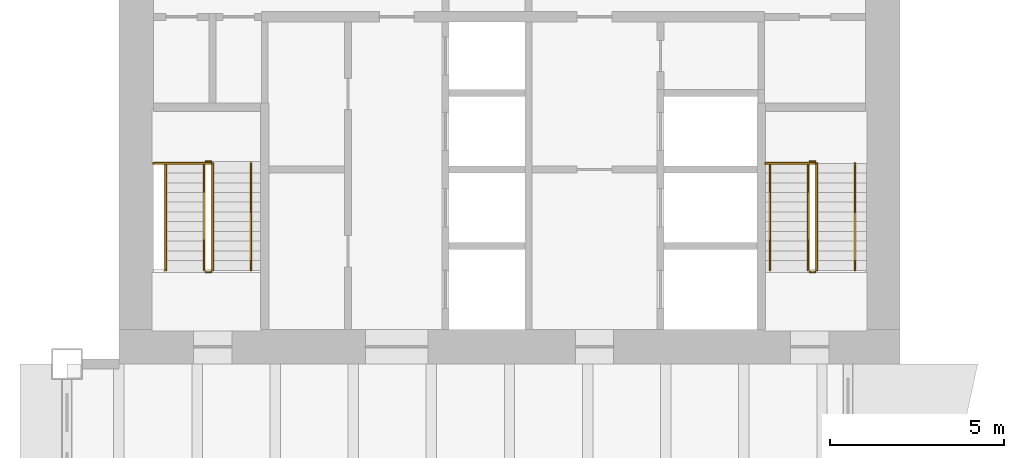
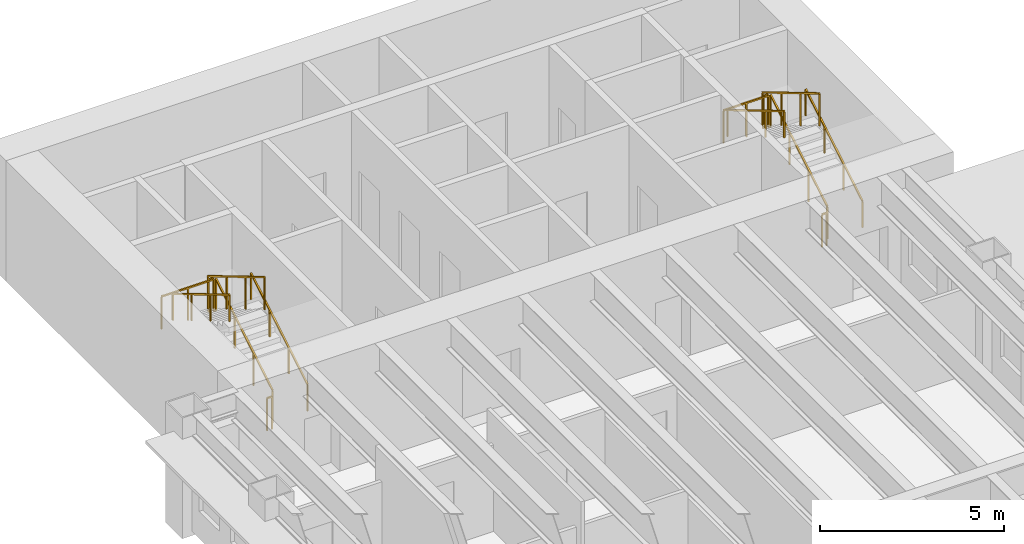
# One storey, part 17 of 17: 14 railings.
"""IFC4 building model written with IfcOpenShell, lengths in metres."""

import ifcopenshell
import ifcopenshell.guid

model = None  # the IFC model being written
_history = None  # IfcOwnerHistory: only IFC2X3 demands one
_inside = {}  # id of a spatial element -> (the spatial element, [elements in it])
_under = {}  # id of a project, library or spatial element -> (it, [spatial elements below it])
_declared = {}  # id of a project -> (the project, [libraries it declares])
_typed = {}  # id of a type object -> (the type object, [elements of that type])
_made_of = {}  # id of a material, layer set ... -> (it, [elements and type objects made of it])


def new_model(schema):
    """Start an empty IFC model of exactly this schema.

    Asked for "IFC4X3", IfcOpenShell would pick the latest addendum, in which some entities
    have other attributes; the version numbers below select the first issue.
    IFC2X3 requires an IfcOwnerHistory on every rooted entity: one is made here for all.
    """
    global model, _history
    if schema == "IFC4X3":
        model = ifcopenshell.file(schema_version=(4, 3, 0, 0))
    else:
        model = ifcopenshell.file(schema=schema)
    _inside.clear()
    _under.clear()
    _declared.clear()
    _typed.clear()
    _made_of.clear()
    _history = None
    if model.schema == "IFC2X3":
        org = make("IfcOrganization", Name="unknown")
        user = make(
            "IfcPersonAndOrganization",
            ThePerson=make("IfcPerson", FamilyName="unknown"),
            TheOrganization=org,
        )
        app = make(
            "IfcApplication",
            ApplicationDeveloper=org,
            Version="unknown",
            ApplicationFullName="unknown",
            ApplicationIdentifier="unknown",
        )
        _history = make(
            "IfcOwnerHistory",
            OwningUser=user,
            OwningApplication=app,
            ChangeAction="ADDED",
            CreationDate=0,
        )
    return model


def make(cls, **values):
    """One entity of the class cls with the attributes given. An attribute that is None is left unset."""
    return model.create_entity(
        cls, **{name: value for name, value in values.items() if value is not None}
    )


def rooted(cls, **values):
    """An entity with a GlobalId (a new one), such as an element, a storey or a relation."""
    return make(cls, GlobalId=ifcopenshell.guid.new(), OwnerHistory=_history, **values)


def si_unit(unit_type, name, prefix=None):
    """IfcSIUnit, for example si_unit("LENGTHUNIT", "METRE", prefix="MILLI")."""
    return make("IfcSIUnit", UnitType=unit_type, Prefix=prefix, Name=name)


def assignment(units):
    """IfcUnitAssignment: the units of a project."""
    return None if units is None else make("IfcUnitAssignment", Units=units)


def point(xyz):
    """IfcCartesianPoint."""
    return None if xyz is None else make("IfcCartesianPoint", Coordinates=xyz)


def direction(xyz):
    """IfcDirection."""
    return None if xyz is None else make("IfcDirection", DirectionRatios=xyz)


def frame(location, z_axis=None, x_axis=None):
    """IfcAxis2Placement3D, a coordinate frame: its origin and axes. An axis left out is left unset."""
    return make(
        "IfcAxis2Placement3D",
        Location=point(location),
        Axis=direction(z_axis),
        RefDirection=direction(x_axis),
    )


def frame_2d(location, x_axis=None):
    """IfcAxis2Placement2D, a coordinate frame in the plane: its origin and x axis."""
    return make(
        "IfcAxis2Placement2D", Location=point(location), RefDirection=direction(x_axis)
    )


def origin():
    """The frame at (0, 0, 0) with its axes left unset."""
    return frame((0.0, 0.0, 0.0))


def origin_2d():
    """The frame at (0, 0) in the plane with its x axis left unset."""
    return frame_2d((0.0, 0.0))


def place(relative_to, where):
    """IfcLocalPlacement: puts the frame where relative to a parent placement (None: the world)."""
    return make(
        "IfcLocalPlacement", PlacementRelTo=relative_to, RelativePlacement=where
    )


def context(
    kind, dimensions, precision=None, world=None, true_north=None, identifier=None
):
    """IfcGeometricRepresentationContext, for example the 3D "Model" context."""
    return make(
        "IfcGeometricRepresentationContext",
        ContextIdentifier=identifier,
        ContextType=kind,
        CoordinateSpaceDimension=dimensions,
        Precision=precision,
        WorldCoordinateSystem=world,
        TrueNorth=true_north,
    )


def subcontext(parent, identifier, kind, view, scale=None):
    """IfcGeometricRepresentationSubContext, for example "Body" below "Model"."""
    return make(
        "IfcGeometricRepresentationSubContext",
        ContextIdentifier=identifier,
        ContextType=kind,
        ParentContext=parent,
        TargetScale=scale,
        TargetView=view,
    )


def project(units=None, contexts=None):
    """IfcProject with its units and contexts."""
    return rooted(
        "IfcProject",
        Name="project",
        RepresentationContexts=contexts,
        UnitsInContext=assignment(units),
    )


def spatial(cls, under=None, at=None, **own):
    """A site, building, storey or space (cls), placed at a placement, below another one or the project."""
    s = rooted(cls, ObjectPlacement=at, **own)
    if under is not None:
        _under.setdefault(under.id(), (under, []))[1].append(s)
    return s


def profile(cls, at=None, kind="AREA", **sizes):
    """A parametric profile (cls). Its sizes go by their IFC names, for example OverallWidth=200.0."""
    return make(cls, ProfileType=kind, Position=at, **sizes)


def rectangle(**sizes):
    """IfcRectangleProfileDef."""
    return profile("IfcRectangleProfileDef", **sizes)


def extrude(swept, where, along, depth):
    """IfcExtrudedAreaSolid: the profile swept, set in the frame where, extruded along a direction by depth."""
    return make(
        "IfcExtrudedAreaSolid",
        SweptArea=swept,
        Position=where,
        ExtrudedDirection=direction(along),
        Depth=depth,
    )


def shape(context_of_items, identifier, shape_type, items):
    """IfcShapeRepresentation: the items that make up one representation, for example the "Body"."""
    return make(
        "IfcShapeRepresentation",
        ContextOfItems=context_of_items,
        RepresentationIdentifier=identifier,
        RepresentationType=shape_type,
        Items=items,
    )


def material(Name=None, Category=None):
    """IfcMaterial."""
    return make("IfcMaterial", Name=Name, Category=Category)


def made_of(thing, what):
    """Note that an element or type object is made of a material, layer set ...; save() writes the relation."""
    if what is not None:
        _made_of.setdefault(what.id(), (what, []))[1].append(thing)
    return thing


def type_object(cls, material=None, **own):
    """A type object (cls), such as IfcWallType, which elements share."""
    return made_of(rooted(cls, **own), material)


def element(
    cls,
    number,
    at=None,
    inside=None,
    cuts=None,
    type_object=None,
    material=None,
    context=None,
    identifier="Body",
    shape_type=None,
    held_by="IfcProductDefinitionShape",
    body=None,
    shapes=None,
    **own,
):
    """One element of the class cls, such as IfcWall. Its Tag is "e" and its number.

    at: its placement. inside: the storey or other place that contains it. cuts: it is an
    opening in that element (IfcRelVoidsElement). A single representation is given by context,
    identifier, shape_type and body (its items); several are given by shapes. held_by: the class
    of the entity that holds the representations. save() writes the other relations.
    """
    e = rooted(cls, Tag="e%d" % number, ObjectPlacement=at, **own)
    if body is not None:
        shapes = [shape(context, identifier, shape_type, body)]
    if shapes is not None:
        e.Representation = make(held_by, Representations=shapes)
    if inside is not None:
        _inside.setdefault(inside.id(), (inside, []))[1].append(e)
    if cuts is not None:
        rooted(
            "IfcRelVoidsElement", RelatingBuildingElement=cuts, RelatedOpeningElement=e
        )
    if type_object is not None:
        _typed.setdefault(type_object.id(), (type_object, []))[1].append(e)
    return made_of(e, material)


def aggregate(whole, parts):
    """IfcRelAggregates: a whole, such as a stair, and the parts it consists of."""
    return rooted("IfcRelAggregates", RelatingObject=whole, RelatedObjects=parts)


def save(model, path):
    """Write the relations noted so far, then the file.

    IfcRelAggregates (storeys below a building ...), IfcRelContainedInSpatialStructure (elements
    in a storey), IfcRelDefinesByType, IfcRelAssociatesMaterial and IfcRelDeclares: one each for
    every whole, place, type object, material and project.
    """
    for whole, parts in _under.values():
        aggregate(whole, parts)
    for where, things in _inside.values():
        rooted(
            "IfcRelContainedInSpatialStructure",
            RelatedElements=things,
            RelatingStructure=where,
        )
    for kind, things in _typed.values():
        rooted("IfcRelDefinesByType", RelatedObjects=things, RelatingType=kind)
    for what, things in _made_of.values():
        rooted("IfcRelAssociatesMaterial", RelatedObjects=things, RelatingMaterial=what)
    for by, libraries in _declared.values():
        rooted("IfcRelDeclares", RelatingContext=by, RelatedDefinitions=libraries)
    model.write(path)


model = new_model("IFC4")

# Units and contexts
model_context = context("Model", 3, precision=1e-05, world=origin(), true_north=direction((0.0, 1.0)))
body_context = subcontext(model_context, "Body", "Model", "MODEL_VIEW")
ifc_project = project(units=[si_unit("LENGTHUNIT", "METRE"), si_unit("AREAUNIT", "SQUARE_METRE"), si_unit("VOLUMEUNIT", "CUBIC_METRE"), si_unit("PLANEANGLEUNIT", "RADIAN"), si_unit("MASSUNIT", "GRAM", prefix="KILO")], contexts=[model_context])

# Site, building, storey
site_placement = place(None, origin())
site = spatial("IfcSite", under=ifc_project, at=site_placement, CompositionType="ELEMENT")
building_placement = place(site_placement, origin())
building = spatial("IfcBuilding", under=site, at=building_placement, Name="Sennacour Bend Tower", CompositionType="ELEMENT")
storey_placement = place(building_placement, frame((0.0, 0.0, 155.0)))
storey = spatial("IfcBuildingStorey", under=building, at=storey_placement, Name="L35", CompositionType="ELEMENT", Elevation=155.0)

# Railings
ifc_material = material(Name="Stainless steel", Category="steel")
railing_type_1 = type_object("IfcRailingType", Name="RL-GUARD-1100", PredefinedType="GUARDRAIL", material=ifc_material)
railing_1_placement = place(storey_placement, frame((2.699951171875, 38.699951171875, 0.166748046875)))
element("IfcRailing", 1, at=railing_1_placement, inside=storey, type_object=railing_type_1, Name="L35 SB1 stair guard 1", PredefinedType="GUARDRAIL", context=body_context, shape_type="SweptSolid", body=[
    extrude(rectangle(XDim=0.048095703125, YDim=0.048095703125, at=origin_2d()), frame((0.0, 0.0, 1.076171875), z_axis=(0.0, 0.859308565015, 0.511457515432), x_axis=(-1.0, 0.0, 0.0)), (0.0, 0.0, 1.0), 3.58447265625),
    extrude(rectangle(XDim=0.0419921875, YDim=0.0419921875, at=origin_2d()), origin(), (0.0, 0.0, 1.0), 1.052001953125),
    extrude(rectangle(XDim=0.0419921875, YDim=0.0419921875, at=origin_2d()), frame((0.0, 1.026611328125, 0.611083984375)), (0.0, 0.0, 1.0), 1.052001953125),
    extrude(rectangle(XDim=0.0419921875, YDim=0.0419921875, at=origin_2d()), frame((0.0, 2.053466796875, 1.22216796875)), (0.0, 0.0, 1.0), 1.052001953125),
    extrude(rectangle(XDim=0.0419921875, YDim=0.0419921875, at=origin_2d()), frame((0.0, 3.080078125, 1.833251953125)), (0.0, 0.0, 1.0), 1.052001953125),
])
railing_2_placement = place(storey_placement, frame((2.64990234375, 41.830078125, 2.0)))
element("IfcRailing", 2, at=railing_2_placement, inside=storey, type_object=railing_type_1, Name="L35 SB1 stair guard 2", PredefinedType="GUARDRAIL", context=body_context, shape_type="SweptSolid", body=[
    extrude(rectangle(XDim=0.048095703125, YDim=0.048095703125, at=origin_2d()), frame((0.0, 0.0, 1.076171875), z_axis=(-1.0, 0.0, 0.0), x_axis=(0.0, -1.0, 0.0)), (0.0, 0.0, 1.0), 0.14990234375),
    extrude(rectangle(XDim=0.0419921875, YDim=0.0419921875, at=origin_2d()), origin(), (0.0, 0.0, 1.0), 1.052001953125),
    extrude(rectangle(XDim=0.0419921875, YDim=0.0419921875, at=origin_2d()), frame((-0.14990234375, 0.0, 0.0)), (0.0, 0.0, 1.0), 1.052001953125),
])
railing_3_placement = place(storey_placement, frame((2.449951171875, 41.780029296875, 2.166748046875)))
element("IfcRailing", 3, at=railing_3_placement, inside=storey, type_object=railing_type_1, Name="L35 SB1 stair guard 4", PredefinedType="GUARDRAIL", context=body_context, shape_type="SweptSolid", body=[
    extrude(rectangle(XDim=0.048095703125, YDim=0.048095703125, at=origin_2d()), frame((0.0, 0.0, 1.076171875), z_axis=(0.0, -0.859308565015, 0.511457515432), x_axis=(1.0, 0.0, 0.0)), (0.0, 0.0, 1.0), 3.58447265625),
    extrude(rectangle(XDim=0.0419921875, YDim=0.0419921875, at=origin_2d()), origin(), (0.0, 0.0, 1.0), 1.052001953125),
    extrude(rectangle(XDim=0.0419921875, YDim=0.0419921875, at=origin_2d()), frame((0.0, -1.026611328125, 0.611083984375)), (0.0, 0.0, 1.0), 1.052001953125),
    extrude(rectangle(XDim=0.0419921875, YDim=0.0419921875, at=origin_2d()), frame((0.0, -2.053466796875, 1.22216796875)), (0.0, 0.0, 1.0), 1.052001953125),
    extrude(rectangle(XDim=0.0419921875, YDim=0.0419921875, at=origin_2d()), frame((0.0, -3.080078125, 1.833251953125)), (0.0, 0.0, 1.0), 1.052001953125),
])
railing_4_placement = place(storey_placement, frame((2.64990234375, 38.64990234375, 0.0)))
element("IfcRailing", 4, at=railing_4_placement, inside=storey, type_object=railing_type_1, Name="L35 SB1 stair guard 5", PredefinedType="GUARDRAIL", context=body_context, shape_type="SweptSolid", body=[
    extrude(rectangle(XDim=0.048095703125, YDim=0.048095703125, at=origin_2d()), frame((0.0, 0.0, 1.076171875), z_axis=(-1.0, 0.0, 0.0), x_axis=(0.0, -1.0, 0.0)), (0.0, 0.0, 1.0), 0.14990234375),
    extrude(rectangle(XDim=0.0419921875, YDim=0.0419921875, at=origin_2d()), origin(), (0.0, 0.0, 1.0), 1.052001953125),
    extrude(rectangle(XDim=0.0419921875, YDim=0.0419921875, at=origin_2d()), frame((-0.14990234375, 0.0, 0.0)), (0.0, 0.0, 1.0), 1.052001953125),
])
railing_5_placement = place(storey_placement, frame((2.64990234375, 41.780029296875, 2.0)))
element("IfcRailing", 5, at=railing_5_placement, inside=storey, type_object=railing_type_1, Name="L35 SB1 landing edge guard 60", PredefinedType="GUARDRAIL", context=body_context, shape_type="SweptSolid", body=[
    extrude(rectangle(XDim=0.048095703125, YDim=0.048095703125, at=origin_2d()), frame((0.0, 0.0, 1.076171875), z_axis=(-1.0, 0.0, 0.0), x_axis=(0.0, -1.0, 0.0)), (0.0, 0.0, 1.0), 1.64990234375),
    extrude(rectangle(XDim=0.0419921875, YDim=0.0419921875, at=origin_2d()), origin(), (0.0, 0.0, 1.0), 1.052001953125),
    extrude(rectangle(XDim=0.0419921875, YDim=0.0419921875, at=origin_2d()), frame((-0.824951171875, 0.0, 0.0)), (0.0, 0.0, 1.0), 1.052001953125),
    extrude(rectangle(XDim=0.0419921875, YDim=0.0419921875, at=origin_2d()), frame((-1.64990234375, 0.0, 0.0)), (0.0, 0.0, 1.0), 1.052001953125),
])
railing_6_placement = place(storey_placement, frame((20.10009765625, 38.699951171875, 0.166748046875)))
element("IfcRailing", 6, at=railing_6_placement, inside=storey, type_object=railing_type_1, Name="L35 SB2 stair guard 1", PredefinedType="GUARDRAIL", context=body_context, shape_type="SweptSolid", body=[
    extrude(rectangle(XDim=0.048095703125, YDim=0.048095703125, at=origin_2d()), frame((0.0, 0.0, 1.076171875), z_axis=(0.0, 0.859308565015, 0.511457515432), x_axis=(-1.0, 0.0, 0.0)), (0.0, 0.0, 1.0), 3.58447265625),
    extrude(rectangle(XDim=0.0419921875, YDim=0.0419921875, at=origin_2d()), origin(), (0.0, 0.0, 1.0), 1.052001953125),
    extrude(rectangle(XDim=0.0419921875, YDim=0.0419921875, at=origin_2d()), frame((0.0, 1.026611328125, 0.611083984375)), (0.0, 0.0, 1.0), 1.052001953125),
    extrude(rectangle(XDim=0.0419921875, YDim=0.0419921875, at=origin_2d()), frame((0.0, 2.053466796875, 1.22216796875)), (0.0, 0.0, 1.0), 1.052001953125),
    extrude(rectangle(XDim=0.0419921875, YDim=0.0419921875, at=origin_2d()), frame((0.0, 3.080078125, 1.833251953125)), (0.0, 0.0, 1.0), 1.052001953125),
])
railing_7_placement = place(storey_placement, frame((20.050048828125, 41.830078125, 2.0)))
element("IfcRailing", 7, at=railing_7_placement, inside=storey, type_object=railing_type_1, Name="L35 SB2 stair guard 2", PredefinedType="GUARDRAIL", context=body_context, shape_type="SweptSolid", body=[
    extrude(rectangle(XDim=0.048095703125, YDim=0.048095703125, at=origin_2d()), frame((0.0, 0.0, 1.076171875), z_axis=(-1.0, 0.0, 0.0), x_axis=(0.0, -1.0, 0.0)), (0.0, 0.0, 1.0), 0.150146484375),
    extrude(rectangle(XDim=0.0419921875, YDim=0.0419921875, at=origin_2d()), origin(), (0.0, 0.0, 1.0), 1.052001953125),
    extrude(rectangle(XDim=0.0419921875, YDim=0.0419921875, at=origin_2d()), frame((-0.150146484375, 0.0, 0.0)), (0.0, 0.0, 1.0), 1.052001953125),
])
railing_8_placement = place(storey_placement, frame((19.85009765625, 41.780029296875, 2.166748046875)))
element("IfcRailing", 8, at=railing_8_placement, inside=storey, type_object=railing_type_1, Name="L35 SB2 stair guard 4", PredefinedType="GUARDRAIL", context=body_context, shape_type="SweptSolid", body=[
    extrude(rectangle(XDim=0.048095703125, YDim=0.048095703125, at=origin_2d()), frame((0.0, 0.0, 1.076171875), z_axis=(0.0, -0.859308565015, 0.511457515432), x_axis=(1.0, 0.0, 0.0)), (0.0, 0.0, 1.0), 3.58447265625),
    extrude(rectangle(XDim=0.0419921875, YDim=0.0419921875, at=origin_2d()), origin(), (0.0, 0.0, 1.0), 1.052001953125),
    extrude(rectangle(XDim=0.0419921875, YDim=0.0419921875, at=origin_2d()), frame((0.0, -1.026611328125, 0.611083984375)), (0.0, 0.0, 1.0), 1.052001953125),
    extrude(rectangle(XDim=0.0419921875, YDim=0.0419921875, at=origin_2d()), frame((0.0, -2.053466796875, 1.22216796875)), (0.0, 0.0, 1.0), 1.052001953125),
    extrude(rectangle(XDim=0.0419921875, YDim=0.0419921875, at=origin_2d()), frame((0.0, -3.080078125, 1.833251953125)), (0.0, 0.0, 1.0), 1.052001953125),
])
railing_9_placement = place(storey_placement, frame((20.050048828125, 38.64990234375, 0.0)))
element("IfcRailing", 9, at=railing_9_placement, inside=storey, type_object=railing_type_1, Name="L35 SB2 stair guard 5", PredefinedType="GUARDRAIL", context=body_context, shape_type="SweptSolid", body=[
    extrude(rectangle(XDim=0.048095703125, YDim=0.048095703125, at=origin_2d()), frame((0.0, 0.0, 1.076171875), z_axis=(-1.0, 0.0, 0.0), x_axis=(0.0, -1.0, 0.0)), (0.0, 0.0, 1.0), 0.150146484375),
    extrude(rectangle(XDim=0.0419921875, YDim=0.0419921875, at=origin_2d()), origin(), (0.0, 0.0, 1.0), 1.052001953125),
    extrude(rectangle(XDim=0.0419921875, YDim=0.0419921875, at=origin_2d()), frame((-0.150146484375, 0.0, 0.0)), (0.0, 0.0, 1.0), 1.052001953125),
])
railing_10_placement = place(storey_placement, frame((20.050048828125, 41.780029296875, 2.0)))
element("IfcRailing", 10, at=railing_10_placement, inside=storey, type_object=railing_type_1, Name="L35 SB2 landing edge guard 50", PredefinedType="GUARDRAIL", context=body_context, shape_type="SweptSolid", body=[
    extrude(rectangle(XDim=0.048095703125, YDim=0.048095703125, at=origin_2d()), frame((0.0, 0.0, 1.076171875), z_axis=(-1.0, 0.0, 0.0), x_axis=(0.0, -1.0, 0.0)), (0.0, 0.0, 1.0), 1.425048828125),
    extrude(rectangle(XDim=0.0419921875, YDim=0.0419921875, at=origin_2d()), origin(), (0.0, 0.0, 1.0), 1.052001953125),
    extrude(rectangle(XDim=0.0419921875, YDim=0.0419921875, at=origin_2d()), frame((-0.71240234375, 0.0, 0.0)), (0.0, 0.0, 1.0), 1.052001953125),
    extrude(rectangle(XDim=0.0419921875, YDim=0.0419921875, at=origin_2d()), frame((-1.425048828125, 0.0, 0.0)), (0.0, 0.0, 1.0), 1.052001953125),
])
railing_type_2 = type_object("IfcRailingType", Name="RL-HANDRAIL-900", PredefinedType="HANDRAIL", material=ifc_material)
railing_11_placement = place(storey_placement, frame((3.800048828125, 38.699951171875, 0.166748046875)))
element("IfcRailing", 11, at=railing_11_placement, inside=storey, type_object=railing_type_2, Name="L35 SB1 stair handrail 1", PredefinedType="HANDRAIL", context=body_context, shape_type="SweptSolid", body=[
    extrude(rectangle(XDim=0.048095703125, YDim=0.048095703125, at=origin_2d()), frame((0.0, 0.0, 0.8759765625), z_axis=(0.0, 0.859308565015, 0.511457515432), x_axis=(-1.0, 0.0, 0.0)), (0.0, 0.0, 1.0), 3.58447265625),
    extrude(rectangle(XDim=0.0419921875, YDim=0.0419921875, at=origin_2d()), origin(), (0.0, 0.0, 1.0), 0.851806640625),
    extrude(rectangle(XDim=0.0419921875, YDim=0.0419921875, at=origin_2d()), frame((0.0, 1.026611328125, 0.611083984375)), (0.0, 0.0, 1.0), 0.851806640625),
    extrude(rectangle(XDim=0.0419921875, YDim=0.0419921875, at=origin_2d()), frame((0.0, 2.053466796875, 1.22216796875)), (0.0, 0.0, 1.0), 0.851806640625),
    extrude(rectangle(XDim=0.0419921875, YDim=0.0419921875, at=origin_2d()), frame((0.0, 3.080078125, 1.833251953125)), (0.0, 0.0, 1.0), 0.851806640625),
])
railing_12_placement = place(storey_placement, frame((1.35009765625, 41.780029296875, 2.166748046875)))
element("IfcRailing", 12, at=railing_12_placement, inside=storey, type_object=railing_type_2, Name="L35 SB1 stair handrail 2", PredefinedType="HANDRAIL", context=body_context, shape_type="SweptSolid", body=[
    extrude(rectangle(XDim=0.048095703125, YDim=0.048095703125, at=origin_2d()), frame((0.0, 0.0, 0.8759765625), z_axis=(0.0, -0.859308565015, 0.511457515432), x_axis=(1.0, 0.0, 0.0)), (0.0, 0.0, 1.0), 3.58447265625),
    extrude(rectangle(XDim=0.0419921875, YDim=0.0419921875, at=origin_2d()), origin(), (0.0, 0.0, 1.0), 0.851806640625),
    extrude(rectangle(XDim=0.0419921875, YDim=0.0419921875, at=origin_2d()), frame((0.0, -1.026611328125, 0.611083984375)), (0.0, 0.0, 1.0), 0.851806640625),
    extrude(rectangle(XDim=0.0419921875, YDim=0.0419921875, at=origin_2d()), frame((0.0, -2.053466796875, 1.22216796875)), (0.0, 0.0, 1.0), 0.851806640625),
    extrude(rectangle(XDim=0.0419921875, YDim=0.0419921875, at=origin_2d()), frame((0.0, -3.080078125, 1.833251953125)), (0.0, 0.0, 1.0), 0.851806640625),
])
railing_13_placement = place(storey_placement, frame((21.199951171875, 38.699951171875, 0.166748046875)))
element("IfcRailing", 13, at=railing_13_placement, inside=storey, type_object=railing_type_2, Name="L35 SB2 stair handrail 1", PredefinedType="HANDRAIL", context=body_context, shape_type="SweptSolid", body=[
    extrude(rectangle(XDim=0.048095703125, YDim=0.048095703125, at=origin_2d()), frame((0.0, 0.0, 0.8759765625), z_axis=(0.0, 0.859308565015, 0.511457515432), x_axis=(-1.0, 0.0, 0.0)), (0.0, 0.0, 1.0), 3.58447265625),
    extrude(rectangle(XDim=0.0419921875, YDim=0.0419921875, at=origin_2d()), origin(), (0.0, 0.0, 1.0), 0.851806640625),
    extrude(rectangle(XDim=0.0419921875, YDim=0.0419921875, at=origin_2d()), frame((0.0, 1.026611328125, 0.611083984375)), (0.0, 0.0, 1.0), 0.851806640625),
    extrude(rectangle(XDim=0.0419921875, YDim=0.0419921875, at=origin_2d()), frame((0.0, 2.053466796875, 1.22216796875)), (0.0, 0.0, 1.0), 0.851806640625),
    extrude(rectangle(XDim=0.0419921875, YDim=0.0419921875, at=origin_2d()), frame((0.0, 3.080078125, 1.833251953125)), (0.0, 0.0, 1.0), 0.851806640625),
])
railing_14_placement = place(storey_placement, frame((18.75, 41.780029296875, 2.166748046875)))
element("IfcRailing", 14, at=railing_14_placement, inside=storey, type_object=railing_type_2, Name="L35 SB2 stair handrail 2", PredefinedType="HANDRAIL", context=body_context, shape_type="SweptSolid", body=[
    extrude(rectangle(XDim=0.048095703125, YDim=0.048095703125, at=origin_2d()), frame((0.0, 0.0, 0.8759765625), z_axis=(0.0, -0.859308565015, 0.511457515432), x_axis=(1.0, 0.0, 0.0)), (0.0, 0.0, 1.0), 3.58447265625),
    extrude(rectangle(XDim=0.0419921875, YDim=0.0419921875, at=origin_2d()), origin(), (0.0, 0.0, 1.0), 0.851806640625),
    extrude(rectangle(XDim=0.0419921875, YDim=0.0419921875, at=origin_2d()), frame((0.0, -1.026611328125, 0.611083984375)), (0.0, 0.0, 1.0), 0.851806640625),
    extrude(rectangle(XDim=0.0419921875, YDim=0.0419921875, at=origin_2d()), frame((0.0, -2.053466796875, 1.22216796875)), (0.0, 0.0, 1.0), 0.851806640625),
    extrude(rectangle(XDim=0.0419921875, YDim=0.0419921875, at=origin_2d()), frame((0.0, -3.080078125, 1.833251953125)), (0.0, 0.0, 1.0), 0.851806640625),
])

save(model, "model.ifc")
